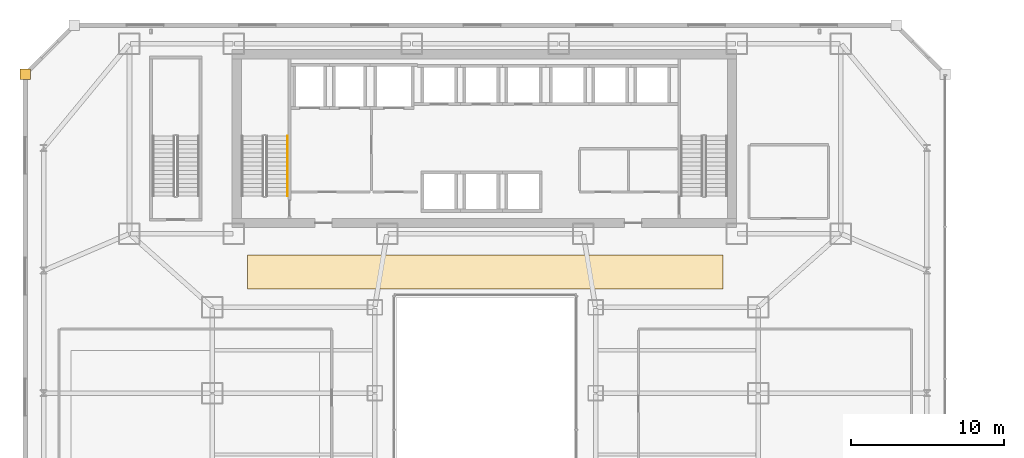
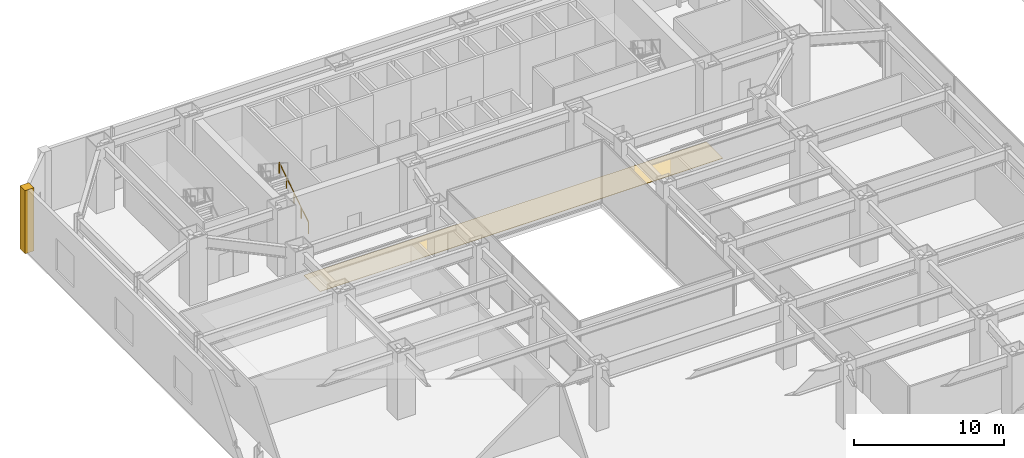
# One storey, part 50 of 53: 2 coverings, 1 railing.
"""IFC4 building model written with IfcOpenShell, lengths in metres."""

import ifcopenshell
import ifcopenshell.guid

model = None  # the IFC model being written
_history = None  # IfcOwnerHistory: only IFC2X3 demands one
_inside = {}  # id of a spatial element -> (the spatial element, [elements in it])
_under = {}  # id of a project, library or spatial element -> (it, [spatial elements below it])
_declared = {}  # id of a project -> (the project, [libraries it declares])
_typed = {}  # id of a type object -> (the type object, [elements of that type])
_made_of = {}  # id of a material, layer set ... -> (it, [elements and type objects made of it])


def new_model(schema):
    """Start an empty IFC model of exactly this schema.

    Asked for "IFC4X3", IfcOpenShell would pick the latest addendum, in which some entities
    have other attributes; the version numbers below select the first issue.
    IFC2X3 requires an IfcOwnerHistory on every rooted entity: one is made here for all.
    """
    global model, _history
    if schema == "IFC4X3":
        model = ifcopenshell.file(schema_version=(4, 3, 0, 0))
    else:
        model = ifcopenshell.file(schema=schema)
    _inside.clear()
    _under.clear()
    _declared.clear()
    _typed.clear()
    _made_of.clear()
    _history = None
    if model.schema == "IFC2X3":
        org = make("IfcOrganization", Name="unknown")
        user = make(
            "IfcPersonAndOrganization",
            ThePerson=make("IfcPerson", FamilyName="unknown"),
            TheOrganization=org,
        )
        app = make(
            "IfcApplication",
            ApplicationDeveloper=org,
            Version="unknown",
            ApplicationFullName="unknown",
            ApplicationIdentifier="unknown",
        )
        _history = make(
            "IfcOwnerHistory",
            OwningUser=user,
            OwningApplication=app,
            ChangeAction="ADDED",
            CreationDate=0,
        )
    return model


def make(cls, **values):
    """One entity of the class cls with the attributes given. An attribute that is None is left unset."""
    return model.create_entity(
        cls, **{name: value for name, value in values.items() if value is not None}
    )


def rooted(cls, **values):
    """An entity with a GlobalId (a new one), such as an element, a storey or a relation."""
    return make(cls, GlobalId=ifcopenshell.guid.new(), OwnerHistory=_history, **values)


def si_unit(unit_type, name, prefix=None):
    """IfcSIUnit, for example si_unit("LENGTHUNIT", "METRE", prefix="MILLI")."""
    return make("IfcSIUnit", UnitType=unit_type, Prefix=prefix, Name=name)


def assignment(units):
    """IfcUnitAssignment: the units of a project."""
    return None if units is None else make("IfcUnitAssignment", Units=units)


def point(xyz):
    """IfcCartesianPoint."""
    return None if xyz is None else make("IfcCartesianPoint", Coordinates=xyz)


def direction(xyz):
    """IfcDirection."""
    return None if xyz is None else make("IfcDirection", DirectionRatios=xyz)


def frame(location, z_axis=None, x_axis=None):
    """IfcAxis2Placement3D, a coordinate frame: its origin and axes. An axis left out is left unset."""
    return make(
        "IfcAxis2Placement3D",
        Location=point(location),
        Axis=direction(z_axis),
        RefDirection=direction(x_axis),
    )


def frame_2d(location, x_axis=None):
    """IfcAxis2Placement2D, a coordinate frame in the plane: its origin and x axis."""
    return make(
        "IfcAxis2Placement2D", Location=point(location), RefDirection=direction(x_axis)
    )


def origin():
    """The frame at (0, 0, 0) with its axes left unset."""
    return frame((0.0, 0.0, 0.0))


def origin_2d():
    """The frame at (0, 0) in the plane with its x axis left unset."""
    return frame_2d((0.0, 0.0))


def place(relative_to, where):
    """IfcLocalPlacement: puts the frame where relative to a parent placement (None: the world)."""
    return make(
        "IfcLocalPlacement", PlacementRelTo=relative_to, RelativePlacement=where
    )


def context(
    kind, dimensions, precision=None, world=None, true_north=None, identifier=None
):
    """IfcGeometricRepresentationContext, for example the 3D "Model" context."""
    return make(
        "IfcGeometricRepresentationContext",
        ContextIdentifier=identifier,
        ContextType=kind,
        CoordinateSpaceDimension=dimensions,
        Precision=precision,
        WorldCoordinateSystem=world,
        TrueNorth=true_north,
    )


def subcontext(parent, identifier, kind, view, scale=None):
    """IfcGeometricRepresentationSubContext, for example "Body" below "Model"."""
    return make(
        "IfcGeometricRepresentationSubContext",
        ContextIdentifier=identifier,
        ContextType=kind,
        ParentContext=parent,
        TargetScale=scale,
        TargetView=view,
    )


def project(units=None, contexts=None):
    """IfcProject with its units and contexts."""
    return rooted(
        "IfcProject",
        Name="project",
        RepresentationContexts=contexts,
        UnitsInContext=assignment(units),
    )


def spatial(cls, under=None, at=None, **own):
    """A site, building, storey or space (cls), placed at a placement, below another one or the project."""
    s = rooted(cls, ObjectPlacement=at, **own)
    if under is not None:
        _under.setdefault(under.id(), (under, []))[1].append(s)
    return s


def polyline(points):
    """IfcPolyline through the points."""
    return make("IfcPolyline", Points=[point(p) for p in points])


def profile(cls, at=None, kind="AREA", **sizes):
    """A parametric profile (cls). Its sizes go by their IFC names, for example OverallWidth=200.0."""
    return make(cls, ProfileType=kind, Position=at, **sizes)


def circle(**sizes):
    """IfcCircleProfileDef."""
    return profile("IfcCircleProfileDef", **sizes)


def outline(outer, holes=None, kind="AREA"):
    """IfcArbitraryClosedProfileDef: a profile drawn as a closed curve; with holes, ...WithVoids."""
    if holes is None:
        return make("IfcArbitraryClosedProfileDef", ProfileType=kind, OuterCurve=outer)
    return make(
        "IfcArbitraryProfileDefWithVoids",
        ProfileType=kind,
        OuterCurve=outer,
        InnerCurves=holes,
    )


def extrude(swept, where, along, depth):
    """IfcExtrudedAreaSolid: the profile swept, set in the frame where, extruded along a direction by depth."""
    return make(
        "IfcExtrudedAreaSolid",
        SweptArea=swept,
        Position=where,
        ExtrudedDirection=direction(along),
        Depth=depth,
    )


def shape(context_of_items, identifier, shape_type, items):
    """IfcShapeRepresentation: the items that make up one representation, for example the "Body"."""
    return make(
        "IfcShapeRepresentation",
        ContextOfItems=context_of_items,
        RepresentationIdentifier=identifier,
        RepresentationType=shape_type,
        Items=items,
    )


def material(Name=None, Category=None):
    """IfcMaterial."""
    return make("IfcMaterial", Name=Name, Category=Category)


def layer(
    of_material, thickness, ventilated=None, Name=None, Category=None, Priority=None
):
    """IfcMaterialLayer: one layer of a wall or slab, of a material (None: an air gap)."""
    return make(
        "IfcMaterialLayer",
        Material=of_material,
        LayerThickness=thickness,
        IsVentilated=ventilated,
        Name=Name,
        Category=Category,
        Priority=Priority,
    )


def layer_set(layers, Name=None):
    """IfcMaterialLayerSet."""
    return make("IfcMaterialLayerSet", MaterialLayers=layers, LayerSetName=Name)


def made_of(thing, what):
    """Note that an element or type object is made of a material, layer set ...; save() writes the relation."""
    if what is not None:
        _made_of.setdefault(what.id(), (what, []))[1].append(thing)
    return thing


def type_object(cls, material=None, **own):
    """A type object (cls), such as IfcWallType, which elements share."""
    return made_of(rooted(cls, **own), material)


def element(
    cls,
    number,
    at=None,
    inside=None,
    cuts=None,
    type_object=None,
    material=None,
    context=None,
    identifier="Body",
    shape_type=None,
    held_by="IfcProductDefinitionShape",
    body=None,
    shapes=None,
    **own,
):
    """One element of the class cls, such as IfcWall. Its Tag is "e" and its number.

    at: its placement. inside: the storey or other place that contains it. cuts: it is an
    opening in that element (IfcRelVoidsElement). A single representation is given by context,
    identifier, shape_type and body (its items); several are given by shapes. held_by: the class
    of the entity that holds the representations. save() writes the other relations.
    """
    e = rooted(cls, Tag="e%d" % number, ObjectPlacement=at, **own)
    if body is not None:
        shapes = [shape(context, identifier, shape_type, body)]
    if shapes is not None:
        e.Representation = make(held_by, Representations=shapes)
    if inside is not None:
        _inside.setdefault(inside.id(), (inside, []))[1].append(e)
    if cuts is not None:
        rooted(
            "IfcRelVoidsElement", RelatingBuildingElement=cuts, RelatedOpeningElement=e
        )
    if type_object is not None:
        _typed.setdefault(type_object.id(), (type_object, []))[1].append(e)
    return made_of(e, material)


def aggregate(whole, parts):
    """IfcRelAggregates: a whole, such as a stair, and the parts it consists of."""
    return rooted("IfcRelAggregates", RelatingObject=whole, RelatedObjects=parts)


def save(model, path):
    """Write the relations noted so far, then the file.

    IfcRelAggregates (storeys below a building ...), IfcRelContainedInSpatialStructure (elements
    in a storey), IfcRelDefinesByType, IfcRelAssociatesMaterial and IfcRelDeclares: one each for
    every whole, place, type object, material and project.
    """
    for whole, parts in _under.values():
        aggregate(whole, parts)
    for where, things in _inside.values():
        rooted(
            "IfcRelContainedInSpatialStructure",
            RelatedElements=things,
            RelatingStructure=where,
        )
    for kind, things in _typed.values():
        rooted("IfcRelDefinesByType", RelatedObjects=things, RelatingType=kind)
    for what, things in _made_of.values():
        rooted("IfcRelAssociatesMaterial", RelatedObjects=things, RelatingMaterial=what)
    for by, libraries in _declared.values():
        rooted("IfcRelDeclares", RelatingContext=by, RelatedDefinitions=libraries)
    model.write(path)


model = new_model("IFC4")

# Units and contexts
model_context = context("Model", 3, precision=1e-05, world=origin(), true_north=direction((0.0, 1.0)))
body_context = subcontext(model_context, "Body", "Model", "MODEL_VIEW")
ifc_project = project(units=[si_unit("LENGTHUNIT", "METRE"), si_unit("AREAUNIT", "SQUARE_METRE"), si_unit("VOLUMEUNIT", "CUBIC_METRE"), si_unit("PLANEANGLEUNIT", "RADIAN"), si_unit("MASSUNIT", "GRAM", prefix="KILO")], contexts=[model_context])

# Site, building, storey
site_placement = place(None, origin())
site = spatial("IfcSite", under=ifc_project, at=site_placement, CompositionType="ELEMENT")
building_placement = place(site_placement, origin())
building = spatial("IfcBuilding", under=site, at=building_placement, Name="Saevonmaru Cultural Tower", CompositionType="ELEMENT")
storey_placement = place(building_placement, frame((0.0, 0.0, 22.199951171875)))
storey = spatial("IfcBuildingStorey", under=building, at=storey_placement, Name="L04", CompositionType="ELEMENT", Elevation=22.199951171875)

# Coverings
ifc_material_1 = material(Name="Satin Bronze Anodised Aluminium", Category="aluminium")
ifc_layer_1 = layer(ifc_material_1, 0.679931640625, Name="Satin Bronze Anodised Aluminium")
ifc_layer_set_1 = layer_set([ifc_layer_1], Name="Satin Bronze Anodised Aluminium")
covering_type_1 = type_object("IfcCoveringType", Name="CV-CORNER-CLAD", PredefinedType="CLADDING", material=ifc_layer_set_1)
covering_1_placement = place(storey_placement, origin())
element("IfcCovering", 1, at=covering_1_placement, inside=storey, type_object=covering_type_1, Name="L04 Podium Bronze Corner Cladding Pier 8", PredefinedType="CLADDING", context=body_context, shape_type="SweptSolid", body=[
    extrude(outline(polyline([(-0.340087890625, 52.4599609375), (0.340087890625, 52.4599609375), (0.340087890625, 53.139892578125), (-0.340087890625, 53.139892578125), (-0.340087890625, 52.4599609375)])), origin(), (0.0, 0.0, 1.0), 5.150146484375),
])
ifc_material_2 = material(Name="Honed Granite Terrazzo", Category="masonry")
ifc_layer_2 = layer(ifc_material_2, 0.030029296875, Name="Honed Granite Terrazzo")
ifc_layer_set_2 = layer_set([ifc_layer_2], Name="Honed Granite Terrazzo")
covering_type_2 = type_object("IfcCoveringType", Name="CV-FLR-TERRAZZO", PredefinedType="FLOORING", material=ifc_layer_set_2)
covering_2_placement = place(storey_placement, origin())
element("IfcCovering", 2, at=covering_2_placement, inside=storey, type_object=covering_type_2, Name="L04 Foyer Granite Terrazzo Flooring", PredefinedType="FLOORING", context=body_context, shape_type="SweptSolid", body=[
    extrude(outline(polyline([(14.5, 38.800048828125), (45.5, 38.800048828125), (45.5, 41.0), (14.5, 41.0), (14.5, 38.800048828125)])), origin(), (0.0, 0.0, 1.0), 0.030029296875),
])

# Railing
railing_type = type_object("IfcRailingType", Name="RL-STAIR-HANDRAIL", PredefinedType="HANDRAIL", material=ifc_material_1)
railing_placement = place(storey_placement, frame((17.10009765625, 44.85009765625, 0.179931640625)))
element("IfcRailing", 3, at=railing_placement, inside=storey, type_object=railing_type, Name="L04 ST-1 stair handrail 1", PredefinedType="HANDRAIL", context=body_context, shape_type="SweptSolid", body=[
    extrude(circle(Radius=0.02392578125, at=origin_2d()), frame((0.0, 0.0, 0.8759765625), z_axis=(0.0, 0.841171666519, 0.540768182723), x_axis=(-1.0, 0.0, 0.0)), (0.0, 0.0, 1.0), 4.66015625),
    extrude(circle(Radius=0.02099609375, at=origin_2d()), origin(), (0.0, 0.0, 1.0), 0.851806640625),
    extrude(circle(Radius=0.02099609375, at=origin_2d()), frame((0.0, 0.97998046875, 0.6298828125)), (0.0, 0.0, 1.0), 0.851806640625),
    extrude(circle(Radius=0.02099609375, at=origin_2d()), frame((0.0, 1.9599609375, 1.260009765625)), (0.0, 0.0, 1.0), 0.851806640625),
    extrude(circle(Radius=0.02099609375, at=origin_2d()), frame((0.0, 2.93994140625, 1.89013671875)), (0.0, 0.0, 1.0), 0.851806640625),
    extrude(circle(Radius=0.02099609375, at=origin_2d()), frame((0.0, 3.919921875, 2.52001953125)), (0.0, 0.0, 1.0), 0.851806640625),
])

save(model, "model.ifc")
